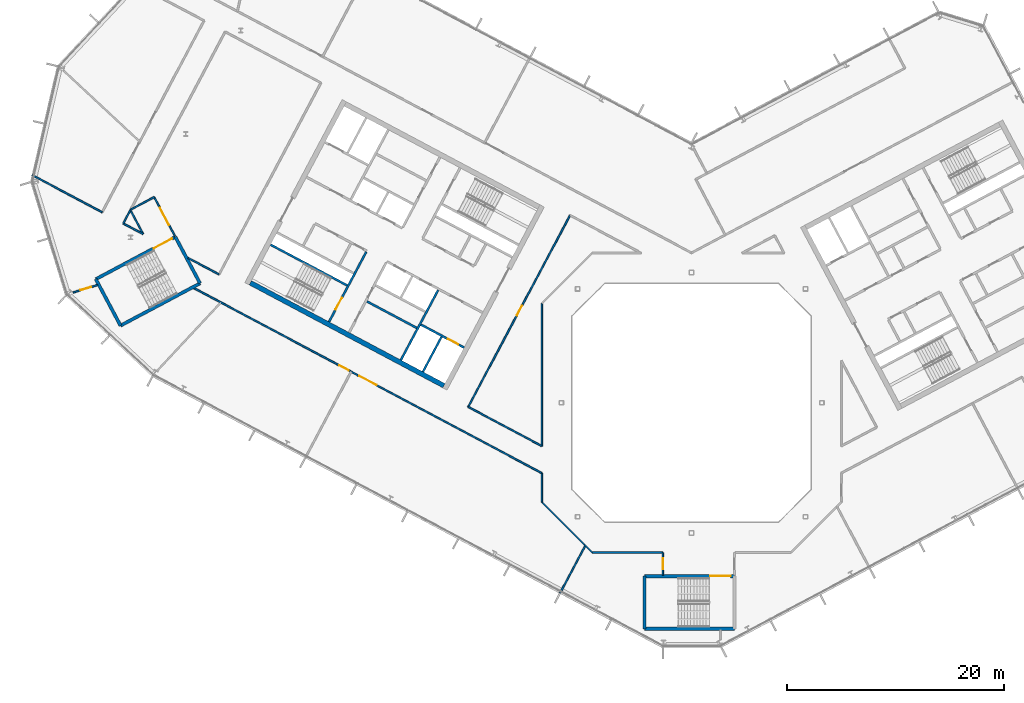
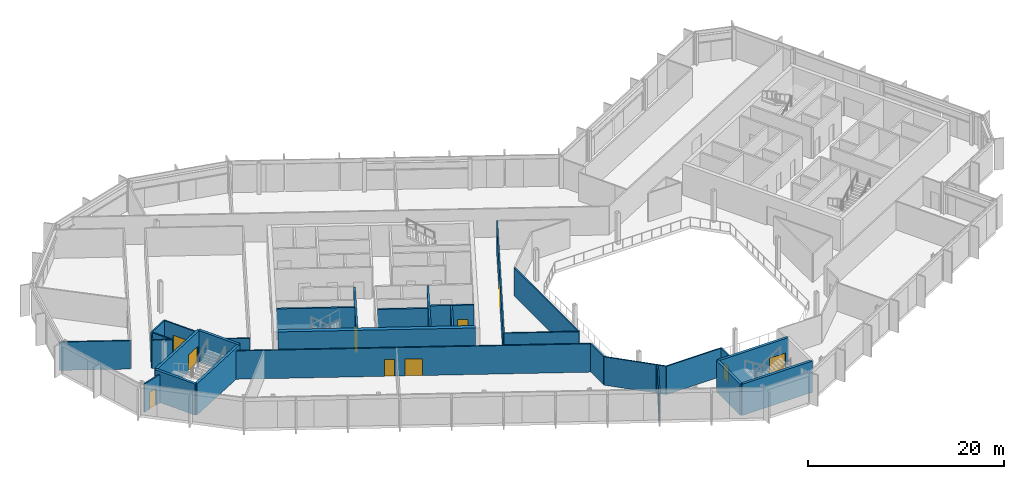
# One storey, part 13 of 26: 32 walls, 10 doors, 10 openings.
"""IFC4 building model written with IfcOpenShell, lengths in metres."""

from ifc_helpers import new_model, si_unit, direction, frame, frame_2d, origin, place, context, subcontext, project, spatial, rectangle, extrude, material, layer, layer_set, type_object, element, fill, save


model = new_model("IFC4")

# Units and contexts
model_context = context("Model", 3, precision=1e-05, world=origin(), true_north=direction((0.0, 1.0)))
body_context = subcontext(model_context, "Body", "Model", "MODEL_VIEW")
ifc_project = project(units=[si_unit("LENGTHUNIT", "METRE"), si_unit("AREAUNIT", "SQUARE_METRE"), si_unit("VOLUMEUNIT", "CUBIC_METRE"), si_unit("PLANEANGLEUNIT", "RADIAN"), si_unit("MASSUNIT", "GRAM", prefix="KILO")], contexts=[model_context])

# Site, building, storey
site_placement = place(None, origin())
site = spatial("IfcSite", under=ifc_project, at=site_placement, CompositionType="ELEMENT")
building_placement = place(site_placement, origin())
building = spatial("IfcBuilding", under=site, at=building_placement, Name="Cormorant Relay Tower", CompositionType="ELEMENT")
storey_placement = place(building_placement, frame((0.0, 0.0, 277.5)))
storey = spatial("IfcBuildingStorey", under=building, at=storey_placement, Name="L62", CompositionType="ELEMENT", Elevation=277.5)

# Walls
ifc_material_1 = material(Name="Concrete 40 MPa", Category="concrete")
ifc_layer_1 = layer(ifc_material_1, 0.199951171875)
ifc_layer_set_1 = layer_set([ifc_layer_1], Name="Core internal wall 200")
wall_type_1 = type_object("IfcWallType", Name="Core internal wall 200", PredefinedType="SOLIDWALL", material=ifc_layer_set_1)
wall_1_placement = place(storey_placement, frame((-25.326416015625, 6.8974609375, 0.0), z_axis=(0.0, 0.0, 1.0), x_axis=(-0.882953967957, 0.469459572775, 0.0)))
element("IfcWall", 1, at=wall_1_placement, inside=storey, type_object=wall_type_1, Name="L62 core A shaft and room wall", PredefinedType="SOLIDWALL", context=body_context, shape_type="SweptSolid", body=[
    extrude(rectangle(XDim=5.199951171875, YDim=0.199951171875, at=frame_2d((2.60009765625, 0.0))), origin(), (0.0, 0.0, 1.0), 3.89990234375),
])
ifc_material_2 = material(Name="Concrete 50 MPa", Category="concrete")
ifc_layer_2 = layer(ifc_material_2, 0.199951171875)
ifc_layer_set_2 = layer_set([ifc_layer_2], Name="Core shaft wall 200")
wall_type_2 = type_object("IfcWallType", Name="Core shaft wall 200", PredefinedType="SHEAR", material=ifc_layer_set_2)
wall_2_placement = place(storey_placement, frame((-23.04296875, 6.07958984375, 0.0), z_axis=(0.0, 0.0, 1.0), x_axis=(-0.469494272526, -0.882935517501, 0.0)))
element("IfcWall", 2, at=wall_2_placement, inside=storey, type_object=wall_type_2, Name="L62 core A shaft wall", PredefinedType="SHEAR", context=body_context, shape_type="SweptSolid", body=[
    extrude(rectangle(XDim=3.64990234375, YDim=0.199951171875, at=frame_2d((1.824951171875, 0.0))), origin(), (0.0, 0.0, 1.0), 3.89990234375),
])
wall_3_placement = place(storey_placement, frame((-23.360107421875, 10.38232421875, 0.0), z_axis=(0.0, 0.0, 1.0), x_axis=(-0.469480409012, -0.88294288918, 0.0)))
element("IfcWall", 3, at=wall_3_placement, inside=storey, type_object=wall_type_2, Name="L62 core A shaft wall", PredefinedType="SHEAR", context=body_context, shape_type="SweptSolid", body=[
    extrude(rectangle(XDim=7.300048828125, YDim=0.199951171875, at=frame_2d((3.64990234375, 0.0))), origin(), (0.0, 0.0, 1.0), 3.89990234375),
])

# Wall, opening, door
wall_4_placement = place(storey_placement, frame((-29.982421875, 13.9033203125, 0.0), z_axis=(0.0, 0.0, 1.0), x_axis=(-0.469454336211, -0.882956752176, 0.0)))
wall_4 = element("IfcWall", 4, at=wall_4_placement, inside=storey, type_object=wall_type_2, Name="L62 core A shaft wall", PredefinedType="SHEAR", context=body_context, shape_type="SweptSolid", body=[
    extrude(rectangle(XDim=7.300048828125, YDim=0.199951171875, at=frame_2d((3.64990234375, 0.0))), origin(), (0.0, 0.0, 1.0), 3.89990234375),
])
opening_1_placement = place(wall_4_placement, frame((4.800048828125, 0.0, 0.0)))
opening_1 = element("IfcOpeningElement", 5, at=opening_1_placement, cuts=wall_4, Name="Opening CDB-039", PredefinedType="OPENING", context=body_context, shape_type="SweptSolid", body=[
    extrude(rectangle(XDim=1.199951171875, YDim=2.10009765625, at=frame_2d((0.60009765625, 1.050048828125))), frame((0.0, 0.10986328125, 0.0), z_axis=(0.0, -1.0, 0.0), x_axis=(1.0, 0.0, 0.0)), (0.0, 0.0, 1.0), 0.219970703125),
])
ifc_material_3 = material(Name="Steel fire door", Category="steel")
door_type_1 = type_object("IfcDoorType", Name="Core stair door 1200x2100", OperationType="SINGLE_SWING_LEFT", PredefinedType="DOOR", material=ifc_material_3)
door_1_placement = place(opening_1_placement, frame((1.199951171875, 0.0, 0.0), z_axis=(0.0, 0.0, 1.0), x_axis=(-1.0, 0.0, 0.0)))
door_1 = element("IfcDoor", 6, at=door_1_placement, inside=storey, type_object=door_type_1, Name="Core stair door 1200x2100", OperationType="SINGLE_SWING_RIGHT", OverallHeight=2.10009765625, OverallWidth=1.199951171875, PredefinedType="DOOR", context=body_context, shape_type="SweptSolid", body=[
    extrude(rectangle(XDim=1.199951171875, YDim=2.10009765625, at=frame_2d((0.60009765625, 1.050048828125))), frame((0.0, 0.02490234375, 0.0), z_axis=(0.0, -1.0, 0.0), x_axis=(1.0, 0.0, 0.0)), (0.0, 0.0, 1.0), 0.050048828125),
])
fill(opening_1, door_1)

wall_5_placement = place(storey_placement, frame((-20.96533203125, 5.088134765625, 0.0), z_axis=(0.0, 0.0, 1.0), x_axis=(-0.882925986334, 0.469512196493, 0.0)))
wall_5 = element("IfcWall", 7, at=wall_5_placement, inside=storey, type_object=wall_type_2, Name="L62 core A shaft wall", PredefinedType="SHEAR", context=body_context, shape_type="SweptSolid", body=[
    extrude(rectangle(XDim=4.5, YDim=0.199951171875, at=frame_2d((2.25, 0.0))), origin(), (0.0, 0.0, 1.0), 3.89990234375),
])
opening_2_placement = place(wall_5_placement, frame((0.60009765625, 0.0, 0.0)))
opening_2 = element("IfcOpeningElement", 8, at=opening_2_placement, cuts=wall_5, Name="Opening LD1-063", PredefinedType="OPENING", context=body_context, shape_type="SweptSolid", body=[
    extrude(rectangle(XDim=1.10009765625, YDim=2.10009765625, at=frame_2d((0.550048828125, 1.050048828125))), frame((0.0, 0.10986328125, 0.0), z_axis=(0.0, -1.0, 0.0), x_axis=(1.0, 0.0, 0.0)), (0.0, 0.0, 1.0), 0.219970703125),
])
ifc_material_4 = material(Name="Stainless steel 316", Category="steel")
door_type_2 = type_object("IfcDoorType", Name="Lift landing door 1100x2100", OperationType="DOUBLE_DOOR_SLIDING", PredefinedType="DOOR", material=ifc_material_4)
door_2_placement = place(opening_2_placement, origin())
door_2 = element("IfcDoor", 9, at=door_2_placement, inside=storey, type_object=door_type_2, Name="FF1 landing door", OperationType="DOUBLE_DOOR_SLIDING", OverallHeight=2.10009765625, OverallWidth=1.10009765625, PredefinedType="DOOR", context=body_context, shape_type="SweptSolid", body=[
    extrude(rectangle(XDim=1.10009765625, YDim=2.10009765625, at=frame_2d((0.550048828125, 1.050048828125))), frame((0.0, 0.02490234375, 0.0), z_axis=(0.0, -1.0, 0.0), x_axis=(1.0, 0.0, 0.0)), (0.0, 0.0, 1.0), 0.050048828125),
])
fill(opening_2, door_2)

# Walls
wall_6_placement = place(storey_placement, frame((-31.7373046875, 10.815673828125, 0.0), z_axis=(0.0, 0.0, 1.0), x_axis=(-0.882940221191, 0.469485426614, 0.0)))
element("IfcWall", 10, at=wall_6_placement, inside=storey, type_object=wall_type_2, Name="L62 core A shaft wall", PredefinedType="SHEAR", context=body_context, shape_type="SweptSolid", body=[
    extrude(rectangle(XDim=8.0, YDim=0.199951171875, at=frame_2d((4.0, 0.0))), origin(), (0.0, 0.0, 1.0), 3.89990234375),
])
ifc_material_5 = material(Name="Concrete 50 MPa", Category="concrete")
ifc_layer_3 = layer(ifc_material_5, 0.449951171875)
ifc_layer_set_3 = layer_set([ifc_layer_3], Name="Core wall 450")
wall_type_3 = type_object("IfcWallType", Name="Core wall 450", PredefinedType="SHEAR", material=ifc_layer_set_3)
wall_7_placement = place(storey_placement, frame((-22.83154296875, 1.578369140625, 0.0), z_axis=(0.0, 0.0, 1.0), x_axis=(-0.88294509198, 0.469476266226, 0.0)))
element("IfcWall", 11, at=wall_7_placement, inside=storey, type_object=wall_type_3, Name="L62 core A wall", PredefinedType="SHEAR", context=body_context, shape_type="SweptSolid", body=[
    extrude(rectangle(XDim=20.199951171875, YDim=0.449951171875, at=frame_2d((10.10009765625, 0.0))), origin(), (0.0, 0.0, 1.0), 3.89990234375),
])
ifc_material_6 = material(Name="Gypsum board fire partition")
ifc_layer_4 = layer(ifc_material_6, 0.14990234375)
ifc_layer_set_4 = layer_set([ifc_layer_4], Name="Corridor partition 150 EI 60")
wall_type_4 = type_object("IfcWallType", Name="Corridor partition 150 EI 60", PredefinedType="PARTITIONING", material=ifc_layer_set_4)
wall_8_placement = place(storey_placement, frame((-54.31591796875, 17.554931640625, 0.0), z_axis=(0.0, 0.0, 1.0), x_axis=(-0.882945267795, 0.469475935569, 0.0)))
element("IfcWall", 12, at=wall_8_placement, inside=storey, type_object=wall_type_4, Name="wall/L62/part/004", PredefinedType="PARTITIONING", context=body_context, shape_type="SweptSolid", body=[
    extrude(rectangle(XDim=7.32763671875, YDim=0.14990234375, at=frame_2d((3.663818359375, 0.0))), origin(), (0.0, 0.0, 1.0), 3.5400390625),
])

# Wall, opening, door
wall_9_placement = place(storey_placement, frame((-54.73193359375, 10.85693359375, 0.0), z_axis=(0.0, 0.0, 1.0), x_axis=(-0.956231519395, -0.292611143525, 0.0)))
wall_9 = element("IfcWall", 13, at=wall_9_placement, inside=storey, type_object=wall_type_4, Name="wall/L62/part/005", PredefinedType="PARTITIONING", context=body_context, shape_type="SweptSolid", body=[
    extrude(rectangle(XDim=2.385498046875, YDim=0.14990234375, at=frame_2d((1.19287109375, 0.0))), origin(), (0.0, 0.0, 1.0), 3.5400390625),
])
opening_3_placement = place(wall_9_placement, frame((0.64990234375, 0.0, 0.0)))
opening_3 = element("IfcOpeningElement", 14, at=opening_3_placement, cuts=wall_9, Name="Opening DS-205", PredefinedType="OPENING", context=body_context, shape_type="SweptSolid", body=[
    extrude(rectangle(XDim=1.0, YDim=2.10009765625, at=frame_2d((0.5, 1.050048828125))), frame((0.0, 0.0849609375, 0.0), z_axis=(0.0, -1.0, 0.0), x_axis=(1.0, 0.0, 0.0)), (0.0, 0.0, 1.0), 0.169921875),
])
ifc_material_7 = material(Name="Timber door leaf", Category="wood")
door_type_3 = type_object("IfcDoorType", Name="Suite door 1000x2100", OperationType="SINGLE_SWING_LEFT", PredefinedType="DOOR", material=ifc_material_7)
door_3_placement = place(opening_3_placement, origin())
door_3 = element("IfcDoor", 15, at=door_3_placement, inside=storey, type_object=door_type_3, Name="door/L62/008", OperationType="SINGLE_SWING_LEFT", OverallHeight=2.10009765625, OverallWidth=1.0, PredefinedType="DOOR", context=body_context, shape_type="SweptSolid", body=[
    extrude(rectangle(XDim=1.0, YDim=2.10009765625, at=frame_2d((0.5, 1.050048828125))), frame((0.0, 0.02490234375, 0.0), z_axis=(0.0, -1.0, 0.0), x_axis=(1.0, 0.0, 0.0)), (0.0, 0.0, 1.0), 0.050048828125),
])
fill(opening_3, door_3)

wall_10_placement = place(storey_placement, frame((-47.62109375, 15.3779296875, 0.0), z_axis=(0.0, 0.0, 1.0), x_axis=(-0.469542997944, 0.882909606404, 0.0)))
wall_10 = element("IfcWall", 16, at=wall_10_placement, inside=storey, type_object=wall_type_4, Name="wall/L62/part/010", PredefinedType="PARTITIONING", context=body_context, shape_type="SweptSolid", body=[
    extrude(rectangle(XDim=4.050537109375, YDim=0.14990234375, at=frame_2d((2.025390625, 0.0))), origin(), (0.0, 0.0, 1.0), 3.5400390625),
])
opening_4_placement = place(wall_10_placement, frame((1.14990234375, 0.0, 0.0)))
opening_4 = element("IfcOpeningElement", 17, at=opening_4_placement, cuts=wall_10, Name="Opening DD-035", PredefinedType="OPENING", context=body_context, shape_type="SweptSolid", body=[
    extrude(rectangle(XDim=1.800048828125, YDim=2.10009765625, at=frame_2d((0.89990234375, 1.050048828125))), frame((0.0, 0.0849609375, 0.0), z_axis=(0.0, -1.0, 0.0), x_axis=(1.0, 0.0, 0.0)), (0.0, 0.0, 1.0), 0.169921875),
])
ifc_material_8 = material(Name="Timber door leaf", Category="wood")
door_type_4 = type_object("IfcDoorType", Name="Suite double door 1800x2100", OperationType="DOUBLE_DOOR_SINGLE_SWING", PredefinedType="DOOR", material=ifc_material_8)
door_4_placement = place(opening_4_placement, frame((1.800048828125, 0.0, 0.0), z_axis=(0.0, 0.0, 1.0), x_axis=(-1.0, 0.0, 0.0)))
door_4 = element("IfcDoor", 18, at=door_4_placement, inside=storey, type_object=door_type_4, Name="door/L62/003", OperationType="DOUBLE_DOOR_SINGLE_SWING", OverallHeight=2.10009765625, OverallWidth=1.800048828125, PredefinedType="DOOR", context=body_context, shape_type="SweptSolid", body=[
    extrude(rectangle(XDim=1.800048828125, YDim=2.10009765625, at=frame_2d((0.89990234375, 1.050048828125))), frame((0.0, 0.02490234375, 0.0), z_axis=(0.0, -1.0, 0.0), x_axis=(1.0, 0.0, 0.0)), (0.0, 0.0, 1.0), 0.050048828125),
])
fill(opening_4, door_4)

# Walls
wall_11_placement = place(storey_placement, frame((-49.52294921875, 18.9541015625, 0.0), z_axis=(0.0, 0.0, 1.0), x_axis=(-0.882767334528, -0.469810422501, 0.0)))
element("IfcWall", 19, at=wall_11_placement, inside=storey, type_object=wall_type_4, Name="wall/L62/part/011", PredefinedType="PARTITIONING", context=body_context, shape_type="SweptSolid", body=[
    extrude(rectangle(XDim=2.460693359375, YDim=0.14990234375, at=frame_2d((1.23046875, 0.0))), origin(), (0.0, 0.0, 1.0), 3.5400390625),
])
wall_12_placement = place(storey_placement, frame((-43.5439453125, 11.826904296875, 0.0), z_axis=(0.0, 0.0, 1.0), x_axis=(-0.882974130461, 0.469421649411, 0.0)))
element("IfcWall", 20, at=wall_12_placement, inside=storey, type_object=wall_type_4, Name="wall/L62/part/015", PredefinedType="PARTITIONING", context=body_context, shape_type="SweptSolid", body=[
    extrude(rectangle(XDim=3.238037109375, YDim=0.14990234375, at=frame_2d((1.619140625, 0.0))), origin(), (0.0, 0.0, 1.0), 3.5400390625),
])

# Wall, openings, doors
wall_13_placement = place(storey_placement, frame((-13.800048828125, -6.47998046875, 0.0), z_axis=(0.0, 0.0, 1.0), x_axis=(-0.882943991273, 0.469478336322, 0.0)))
wall_13 = element("IfcWall", 21, at=wall_13_placement, inside=storey, type_object=wall_type_4, Name="wall/L62/part/016", PredefinedType="PARTITIONING", context=body_context, shape_type="SweptSolid", body=[
    extrude(rectangle(XDim=36.32958984375, YDim=0.14990234375, at=frame_2d((18.164794921875, 0.0))), origin(), (0.0, 0.0, 1.0), 3.5400390625),
])
opening_5_placement = place(wall_13_placement, frame((20.14990234375, 0.0, 0.0)))
opening_5 = element("IfcOpeningElement", 22, at=opening_5_placement, cuts=wall_13, Name="Opening DS-215", PredefinedType="OPENING", context=body_context, shape_type="SweptSolid", body=[
    extrude(rectangle(XDim=1.0, YDim=2.10009765625, at=frame_2d((0.5, 1.050048828125))), frame((0.0, 0.0849609375, 0.0), z_axis=(0.0, -1.0, 0.0), x_axis=(1.0, 0.0, 0.0)), (0.0, 0.0, 1.0), 0.169921875),
])
opening_6_placement = place(wall_13_placement, frame((17.25, 0.0, 0.0)))
opening_6 = element("IfcOpeningElement", 23, at=opening_6_placement, cuts=wall_13, Name="Opening DD-037", PredefinedType="OPENING", context=body_context, shape_type="SweptSolid", body=[
    extrude(rectangle(XDim=1.800048828125, YDim=2.10009765625, at=frame_2d((0.89990234375, 1.050048828125))), frame((0.0, 0.0849609375, 0.0), z_axis=(0.0, -1.0, 0.0), x_axis=(1.0, 0.0, 0.0)), (0.0, 0.0, 1.0), 0.169921875),
])
door_5_placement = place(opening_5_placement, origin())
door_5 = element("IfcDoor", 24, at=door_5_placement, inside=storey, type_object=door_type_3, Name="door/L62/009", OperationType="SINGLE_SWING_LEFT", OverallHeight=2.10009765625, OverallWidth=1.0, PredefinedType="DOOR", context=body_context, shape_type="SweptSolid", body=[
    extrude(rectangle(XDim=1.0, YDim=2.10009765625, at=frame_2d((0.5, 1.050048828125))), frame((0.0, 0.02490234375, 0.0), z_axis=(0.0, -1.0, 0.0), x_axis=(1.0, 0.0, 0.0)), (0.0, 0.0, 1.0), 0.050048828125),
])
fill(opening_5, door_5)
door_6_placement = place(opening_6_placement, origin())
door_6 = element("IfcDoor", 25, at=door_6_placement, inside=storey, type_object=door_type_4, Name="door/L62/010", OperationType="DOUBLE_DOOR_SINGLE_SWING", OverallHeight=2.10009765625, OverallWidth=1.800048828125, PredefinedType="DOOR", context=body_context, shape_type="SweptSolid", body=[
    extrude(rectangle(XDim=1.800048828125, YDim=2.10009765625, at=frame_2d((0.89990234375, 1.050048828125))), frame((0.0, 0.02490234375, 0.0), z_axis=(0.0, -1.0, 0.0), x_axis=(1.0, 0.0, 0.0)), (0.0, 0.0, 1.0), 0.050048828125),
])
fill(opening_6, door_6)

# Walls
wall_14_placement = place(storey_placement, frame((-9.89892578125, -13.06005859375, 0.0), z_axis=(0.0, 0.0, 1.0), x_axis=(-0.707195291234, 0.707018260058, 0.0)))
element("IfcWall", 26, at=wall_14_placement, inside=storey, type_object=wall_type_4, Name="wall/L62/part/021", PredefinedType="PARTITIONING", context=body_context, shape_type="SweptSolid", body=[
    extrude(rectangle(XDim=5.516357421875, YDim=0.14990234375, at=frame_2d((2.75830078125, 0.0))), origin(), (0.0, 0.0, 1.0), 3.5400390625),
])
wall_15_placement = place(storey_placement, frame((-13.800048828125, -9.159912109375, 0.0), z_axis=(0.0, 0.0, 1.0), x_axis=(0.0, 1.0, 0.0)))
element("IfcWall", 27, at=wall_15_placement, inside=storey, type_object=wall_type_4, Name="wall/L62/part/022", PredefinedType="PARTITIONING", context=body_context, shape_type="SweptSolid", body=[
    extrude(rectangle(XDim=2.65380859375, YDim=0.14990234375, at=frame_2d((1.326904296875, 0.0))), origin(), (0.0, 0.0, 1.0), 3.5400390625),
])
wall_16_placement = place(storey_placement, frame((-9.159912109375, -13.800048828125, 0.0), z_axis=(0.0, 0.0, 1.0), x_axis=(-0.706639735909, 0.707573518183, 0.0)))
element("IfcWall", 28, at=wall_16_placement, inside=storey, type_object=wall_type_4, Name="wall/L62/part/024", PredefinedType="PARTITIONING", context=body_context, shape_type="SweptSolid", body=[
    extrude(rectangle(XDim=1.0458984375, YDim=0.14990234375, at=frame_2d((0.52294921875, 0.0))), origin(), (0.0, 0.0, 1.0), 3.5400390625),
])

# Wall, opening, door
wall_17_placement = place(storey_placement, frame((-2.64892578125, -15.875, 0.0), z_axis=(0.0, 0.0, 1.0), x_axis=(0.0, 1.0, 0.0)))
wall_17 = element("IfcWall", 29, at=wall_17_placement, inside=storey, type_object=wall_type_4, Name="wall/L62/part/025", PredefinedType="PARTITIONING", context=body_context, shape_type="SweptSolid", body=[
    extrude(rectangle(XDim=2.074951171875, YDim=0.14990234375, at=frame_2d((1.03759765625, 0.0))), origin(), (0.0, 0.0, 1.0), 3.5400390625),
])
opening_7_placement = place(wall_17_placement, frame((0.550048828125, 0.0, 0.0)))
opening_7 = element("IfcOpeningElement", 30, at=opening_7_placement, cuts=wall_17, Name="Opening DS-216", PredefinedType="OPENING", context=body_context, shape_type="SweptSolid", body=[
    extrude(rectangle(XDim=1.0, YDim=2.10009765625, at=frame_2d((0.5, 1.050048828125))), frame((0.0, 0.0849609375, 0.0), z_axis=(0.0, -1.0, 0.0), x_axis=(1.0, 0.0, 0.0)), (0.0, 0.0, 1.0), 0.169921875),
])
door_7_placement = place(opening_7_placement, origin())
door_7 = element("IfcDoor", 31, at=door_7_placement, inside=storey, type_object=door_type_3, Name="door/L62/011", OperationType="SINGLE_SWING_RIGHT", OverallHeight=2.10009765625, OverallWidth=1.0, PredefinedType="DOOR", context=body_context, shape_type="SweptSolid", body=[
    extrude(rectangle(XDim=1.0, YDim=2.10009765625, at=frame_2d((0.5, 1.050048828125))), frame((0.0, 0.02490234375, 0.0), z_axis=(0.0, -1.0, 0.0), x_axis=(1.0, 0.0, 0.0)), (0.0, 0.0, 1.0), 0.050048828125),
])
fill(opening_7, door_7)

# Walls
wall_18_placement = place(storey_placement, frame((-2.64892578125, -13.800048828125, 0.0), z_axis=(0.0, 0.0, 1.0), x_axis=(-1.0, 0.0, 0.0)))
element("IfcWall", 32, at=wall_18_placement, inside=storey, type_object=wall_type_4, Name="wall/L62/part/026", PredefinedType="PARTITIONING", context=body_context, shape_type="SweptSolid", body=[
    extrude(rectangle(XDim=6.510986328125, YDim=0.14990234375, at=frame_2d((3.25537109375, 0.0))), origin(), (0.0, 0.0, 1.0), 3.5400390625),
])
wall_19_placement = place(storey_placement, frame((-51.717041015625, 17.757080078125, 0.0), z_axis=(0.0, 0.0, 1.0), x_axis=(-0.469618761384, -0.882869310236, 0.0)))
element("IfcWall", 33, at=wall_19_placement, inside=storey, type_object=wall_type_4, Name="wall/L62/part/043", PredefinedType="PARTITIONING", context=body_context, shape_type="SweptSolid", body=[
    extrude(rectangle(XDim=1.39892578125, YDim=0.14990234375, at=frame_2d((0.699462890625, 0.0))), origin(), (0.0, 0.0, 1.0), 3.5400390625),
])
wall_20_placement = place(storey_placement, frame((-52.3740234375, 16.52197265625, 0.0), z_axis=(0.0, 0.0, 1.0), x_axis=(0.882981472085, -0.469407839682, 0.0)))
element("IfcWall", 34, at=wall_20_placement, inside=storey, type_object=wall_type_4, Name="wall/L62/part/044", PredefinedType="PARTITIONING", context=body_context, shape_type="SweptSolid", body=[
    extrude(rectangle(XDim=2.072509765625, YDim=0.14990234375, at=frame_2d((1.0361328125, 0.0))), origin(), (0.0, 0.0, 1.0), 3.5400390625),
])
wall_21_placement = place(storey_placement, frame((-50.5439453125, 15.549072265625, 0.0), z_axis=(0.0, 0.0, 1.0), x_axis=(-0.469183782948, 0.883100547967, 0.0)))
element("IfcWall", 35, at=wall_21_placement, inside=storey, type_object=wall_type_4, Name="wall/L62/part/045", PredefinedType="PARTITIONING", context=body_context, shape_type="SweptSolid", body=[
    extrude(rectangle(XDim=2.500244140625, YDim=0.14990234375, at=frame_2d((1.25, 0.0))), origin(), (0.0, 0.0, 1.0), 3.5400390625),
])

# Wall, opening, door
wall_22_placement = place(storey_placement, frame((-20.587890625, -0.37890625, 0.0), z_axis=(0.0, 0.0, 1.0), x_axis=(0.469489882812, 0.882937851685, 0.0)))
wall_22 = element("IfcWall", 36, at=wall_22_placement, inside=storey, type_object=wall_type_4, Name="wall/L62/part/046", PredefinedType="PARTITIONING", context=body_context, shape_type="SweptSolid", body=[
    extrude(rectangle(XDim=20.000244140625, YDim=0.14990234375, at=frame_2d((10.0, 0.0))), origin(), (0.0, 0.0, 1.0), 3.5400390625),
])
opening_8_placement = place(wall_22_placement, frame((9.550048828125, 0.0, 0.0)))
opening_8 = element("IfcOpeningElement", 37, at=opening_8_placement, cuts=wall_22, Name="Opening DS-117", PredefinedType="OPENING", context=body_context, shape_type="SweptSolid", body=[
    extrude(rectangle(XDim=1.0, YDim=2.10009765625, at=frame_2d((0.5, 1.050048828125))), frame((0.0, 0.0849609375, 0.0), z_axis=(0.0, -1.0, 0.0), x_axis=(1.0, 0.0, 0.0)), (0.0, 0.0, 1.0), 0.169921875),
])
door_8_placement = place(opening_8_placement, frame((1.0, 0.0, 0.0), z_axis=(0.0, 0.0, 1.0), x_axis=(-1.0, 0.0, 0.0)))
door_8 = element("IfcDoor", 38, at=door_8_placement, inside=storey, type_object=door_type_3, Name="door/L62/004", OperationType="SINGLE_SWING_LEFT", OverallHeight=2.10009765625, OverallWidth=1.0, PredefinedType="DOOR", context=body_context, shape_type="SweptSolid", body=[
    extrude(rectangle(XDim=1.0, YDim=2.10009765625, at=frame_2d((0.5, 1.050048828125))), frame((0.0, 0.02490234375, 0.0), z_axis=(0.0, -1.0, 0.0), x_axis=(1.0, 0.0, 0.0)), (0.0, 0.0, 1.0), 0.050048828125),
])
fill(opening_8, door_8)

# Walls
wall_23_placement = place(storey_placement, frame((-13.800048828125, 9.159912109375, 0.0), z_axis=(0.0, 0.0, 1.0), x_axis=(0.0, -1.0, 0.0)))
element("IfcWall", 39, at=wall_23_placement, inside=storey, type_object=wall_type_4, Name="wall/L62/part/050", PredefinedType="PARTITIONING", context=body_context, shape_type="SweptSolid", body=[
    extrude(rectangle(XDim=13.14794921875, YDim=0.14990234375, at=frame_2d((6.573974609375, 0.0))), origin(), (0.0, 0.0, 1.0), 3.5400390625),
])
wall_24_placement = place(storey_placement, frame((-13.800048828125, -3.988037109375, 0.0), z_axis=(0.0, 0.0, 1.0), x_axis=(-0.882949137368, 0.469468657976, 0.0)))
element("IfcWall", 40, at=wall_24_placement, inside=storey, type_object=wall_type_4, Name="wall/L62/part/051", PredefinedType="PARTITIONING", context=body_context, shape_type="SweptSolid", body=[
    extrude(rectangle(XDim=7.687744140625, YDim=0.14990234375, at=frame_2d((3.84375, 0.0))), origin(), (0.0, 0.0, 1.0), 3.5400390625),
])
ifc_material_9 = material(Name="Concrete 50 MPa", Category="concrete")
ifc_layer_5 = layer(ifc_material_9, 0.300048828125)
ifc_layer_set_5 = layer_set([ifc_layer_5], Name="Remote stair wall 300")
wall_type_5 = type_object("IfcWallType", Name="Remote stair wall 300", PredefinedType="SHEAR", material=ifc_layer_set_5)
wall_25_placement = place(storey_placement, frame((3.949951171875, -20.824951171875, 0.0), z_axis=(0.0, 0.0, 1.0), x_axis=(-1.0, 0.0, 0.0)))
element("IfcWall", 41, at=wall_25_placement, inside=storey, type_object=wall_type_5, Name="L62 exit stair RK1 wall", PredefinedType="SHEAR", context=body_context, shape_type="SweptSolid", body=[
    extrude(rectangle(XDim=8.300048828125, YDim=0.300048828125, at=frame_2d((4.14990234375, 0.0))), origin(), (0.0, 0.0, 1.0), 3.89990234375),
])
wall_26_placement = place(storey_placement, frame((-4.35009765625, -20.824951171875, 0.0), z_axis=(0.0, 0.0, 1.0), x_axis=(0.0, 1.0, 0.0)))
element("IfcWall", 42, at=wall_26_placement, inside=storey, type_object=wall_type_5, Name="L62 exit stair RK1 wall", PredefinedType="SHEAR", context=body_context, shape_type="SweptSolid", body=[
    extrude(rectangle(XDim=4.849853515625, YDim=0.300048828125, at=frame_2d((2.4248046875, 0.0))), origin(), (0.0, 0.0, 1.0), 3.89990234375),
])

# Wall, opening, door
wall_27_placement = place(storey_placement, frame((-4.35009765625, -15.97509765625, 0.0), z_axis=(0.0, 0.0, 1.0), x_axis=(1.0, 0.0, 0.0)))
wall_27 = element("IfcWall", 43, at=wall_27_placement, inside=storey, type_object=wall_type_5, Name="L62 exit stair RK1 wall", PredefinedType="SHEAR", context=body_context, shape_type="SweptSolid", body=[
    extrude(rectangle(XDim=8.300048828125, YDim=0.300048828125, at=frame_2d((4.14990234375, 0.0))), origin(), (0.0, 0.0, 1.0), 3.89990234375),
])
opening_9_placement = place(wall_27_placement, frame((6.050048828125, 0.0, 0.0)))
opening_9 = element("IfcOpeningElement", 44, at=opening_9_placement, cuts=wall_27, Name="Opening CDE-014", PredefinedType="OPENING", context=body_context, shape_type="SweptSolid", body=[
    extrude(rectangle(XDim=1.89990234375, YDim=2.10009765625, at=frame_2d((0.949951171875, 1.050048828125))), frame((0.0, 0.159912109375, 0.0), z_axis=(0.0, -1.0, 0.0), x_axis=(1.0, 0.0, 0.0)), (0.0, 0.0, 1.0), 0.320068359375),
])
ifc_material_10 = material(Name="Steel fire door", Category="steel")
door_type_5 = type_object("IfcDoorType", Name="Remote stair door 1900x2100", OperationType="DOUBLE_DOOR_SINGLE_SWING", PredefinedType="DOOR", material=ifc_material_10)
door_9_placement = place(opening_9_placement, frame((1.89990234375, 0.0, 0.0), z_axis=(0.0, 0.0, 1.0), x_axis=(-1.0, 0.0, 0.0)))
door_9 = element("IfcDoor", 45, at=door_9_placement, inside=storey, type_object=door_type_5, Name="Exit stair RK1 door", OperationType="DOUBLE_DOOR_SINGLE_SWING", OverallHeight=2.10009765625, OverallWidth=1.89990234375, PredefinedType="DOOR", context=body_context, shape_type="SweptSolid", body=[
    extrude(rectangle(XDim=1.89990234375, YDim=2.10009765625, at=frame_2d((0.949951171875, 1.050048828125))), frame((0.0, 0.02490234375, 0.0), z_axis=(0.0, -1.0, 0.0), x_axis=(1.0, 0.0, 0.0)), (0.0, 0.0, 1.0), 0.050048828125),
])
fill(opening_9, door_9)

# Walls
wall_28_placement = place(storey_placement, frame((-47.57421875, 15.28955078125, 0.0), z_axis=(0.0, 0.0, 1.0), x_axis=(0.469443498566, -0.882962514297, 0.0)))
element("IfcWall", 46, at=wall_28_placement, inside=storey, type_object=wall_type_5, Name="L62 exit stair RP1 wall", PredefinedType="SHEAR", context=body_context, shape_type="SweptSolid", body=[
    extrude(rectangle(XDim=4.85009765625, YDim=0.300048828125, at=frame_2d((2.425048828125, 0.0))), origin(), (0.0, 0.0, 1.0), 3.89990234375),
])
wall_29_placement = place(storey_placement, frame((-45.29736328125, 11.007080078125, 0.0), z_axis=(0.0, 0.0, 1.0), x_axis=(-0.882951519127, -0.469464178475, 0.0)))
element("IfcWall", 47, at=wall_29_placement, inside=storey, type_object=wall_type_5, Name="L62 exit stair RP1 wall", PredefinedType="SHEAR", context=body_context, shape_type="SweptSolid", body=[
    extrude(rectangle(XDim=8.2998046875, YDim=0.300048828125, at=frame_2d((4.14990234375, 0.0))), origin(), (0.0, 0.0, 1.0), 3.89990234375),
])
wall_30_placement = place(storey_placement, frame((-52.625732421875, 7.110595703125, 0.0), z_axis=(0.0, 0.0, 1.0), x_axis=(-0.469464364128, 0.882951420416, 0.0)))
element("IfcWall", 48, at=wall_30_placement, inside=storey, type_object=wall_type_5, Name="L62 exit stair RP1 wall", PredefinedType="SHEAR", context=body_context, shape_type="SweptSolid", body=[
    extrude(rectangle(XDim=4.849853515625, YDim=0.300048828125, at=frame_2d((2.4248046875, 0.0))), origin(), (0.0, 0.0, 1.0), 3.89990234375),
])

# Wall, opening, door
wall_31_placement = place(storey_placement, frame((-54.902587890625, 11.392822265625, 0.0), z_axis=(0.0, 0.0, 1.0), x_axis=(0.882939326045, 0.469487110071, 0.0)))
wall_31 = element("IfcWall", 49, at=wall_31_placement, inside=storey, type_object=wall_type_5, Name="L62 exit stair RP1 wall", PredefinedType="SHEAR", context=body_context, shape_type="SweptSolid", body=[
    extrude(rectangle(XDim=8.300048828125, YDim=0.300048828125, at=frame_2d((4.14990234375, 0.0))), origin(), (0.0, 0.0, 1.0), 3.89990234375),
])
opening_10_placement = place(wall_31_placement, frame((6.050048828125, 0.0, 0.0)))
opening_10 = element("IfcOpeningElement", 50, at=opening_10_placement, cuts=wall_31, Name="Opening CDE-015", PredefinedType="OPENING", context=body_context, shape_type="SweptSolid", body=[
    extrude(rectangle(XDim=1.89990234375, YDim=2.10009765625, at=frame_2d((0.949951171875, 1.050048828125))), frame((0.0, 0.159912109375, 0.0), z_axis=(0.0, -1.0, 0.0), x_axis=(1.0, 0.0, 0.0)), (0.0, 0.0, 1.0), 0.320068359375),
])
door_10_placement = place(opening_10_placement, frame((1.89990234375, 0.0, 0.0), z_axis=(0.0, 0.0, 1.0), x_axis=(-1.0, 0.0, 0.0)))
door_10 = element("IfcDoor", 51, at=door_10_placement, inside=storey, type_object=door_type_5, Name="Exit stair RP1 door", OperationType="DOUBLE_DOOR_SINGLE_SWING", OverallHeight=2.10009765625, OverallWidth=1.89990234375, PredefinedType="DOOR", context=body_context, shape_type="SweptSolid", body=[
    extrude(rectangle(XDim=1.89990234375, YDim=2.10009765625, at=frame_2d((0.949951171875, 1.050048828125))), frame((0.0, 0.02490234375, 0.0), z_axis=(0.0, -1.0, 0.0), x_axis=(1.0, 0.0, 0.0)), (0.0, 0.0, 1.0), 0.050048828125),
])
fill(opening_10, door_10)

# Wall
ifc_material_11 = material(Name="Gypsum board partition")
ifc_layer_6 = layer(ifc_material_11, 0.14990234375)
ifc_layer_set_6 = layer_set([ifc_layer_6], Name="Tenant partition 150")
wall_type_6 = type_object("IfcWallType", Name="Tenant partition 150", PredefinedType="PARTITIONING", material=ifc_layer_set_6)
wall_32_placement = place(storey_placement, frame((-9.7939453125, -13.1650390625, 0.0), z_axis=(0.0, 0.0, 1.0), x_axis=(-0.469669090987, -0.882842536906, 0.0)))
element("IfcWall", 52, at=wall_32_placement, inside=storey, type_object=wall_type_6, Name="wall/L62/part/023", PredefinedType="PARTITIONING", context=body_context, shape_type="SweptSolid", body=[
    extrude(rectangle(XDim=4.978271484375, YDim=0.14990234375, at=frame_2d((2.4892578125, 0.0))), origin(), (0.0, 0.0, 1.0), 3.5400390625),
])

save(model, "model.ifc")
